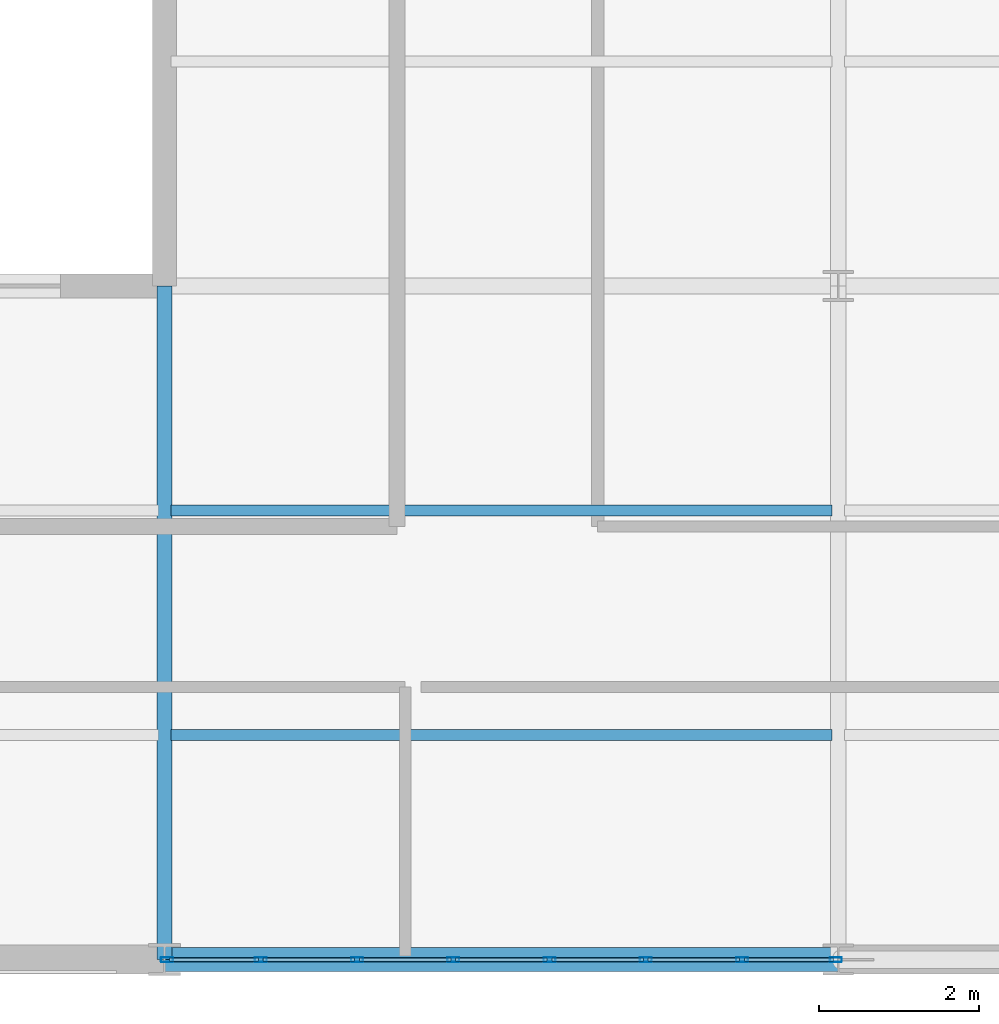
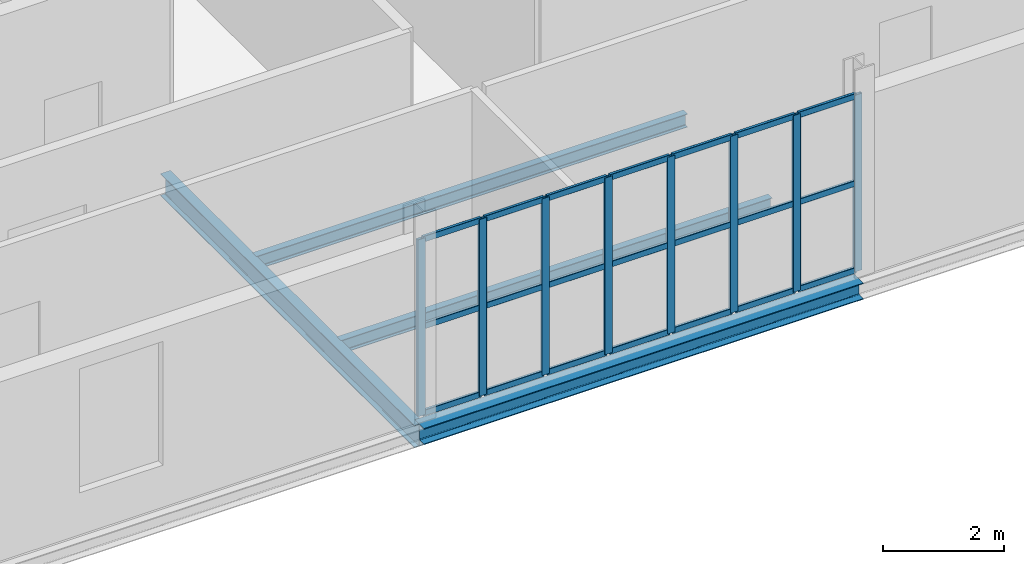
# One storey, part 28 of 163: 29 members, 4 beams, 1 element without a shape of its own.
"""IFC4 building model written with IfcOpenShell, lengths in metres."""

from ifc_helpers import new_model, si_unit, direction, frame, origin, origin_2d, place, context, subcontext, project, spatial, hollow_rectangle, i_section, extrude, material, layer, layer_set, material_profile, profile_set, type_object, element, aggregate, save


model = new_model("IFC4")

# Units and contexts
model_context = context("Model", 3, precision=1e-05, world=origin(), true_north=direction((0.0, 1.0)))
body_context = subcontext(model_context, "Body", "Model", "MODEL_VIEW")
ifc_project = project(units=[si_unit("LENGTHUNIT", "METRE"), si_unit("AREAUNIT", "SQUARE_METRE"), si_unit("VOLUMEUNIT", "CUBIC_METRE"), si_unit("PLANEANGLEUNIT", "RADIAN"), si_unit("MASSUNIT", "GRAM", prefix="KILO")], contexts=[model_context])

# Site, building, storey
site_placement = place(None, origin())
site = spatial("IfcSite", under=ifc_project, at=site_placement, CompositionType="ELEMENT")
building_placement = place(site_placement, origin())
building = spatial("IfcBuilding", under=site, at=building_placement, Name="Qalvenar Corner Mobility Hub", CompositionType="ELEMENT")
storey_placement = place(building_placement, frame((0.0, 0.0, 4.800048828125)))
storey = spatial("IfcBuildingStorey", under=building, at=storey_placement, Name="L01", CompositionType="ELEMENT", Elevation=4.800048828125)

# Beams
ifc_material_1 = material(Name="Steel S355", Category="steel")
ifc_material_profile_1 = material_profile(ifc_material_1, i_section(OverallWidth=0.18994140625, OverallDepth=0.449951171875, WebThickness=0.009521484375, FlangeThickness=0.0146484375, FilletRadius=0.02099609375, at=origin_2d()), Name="IPE450")
ifc_profile_set_1 = profile_set([ifc_material_profile_1], Name="Steel S355")
beam_type_1 = type_object("IfcBeamType", Name="BM-IPE450", PredefinedType="BEAM", material=ifc_profile_set_1)
beam_1_placement = place(storey_placement, frame((16.800048828125, 0.0, -0.405029296875), z_axis=(0.0, 1.0, 0.0), x_axis=(-1.0, 0.0, 0.0)))
element("IfcBeam", 1, at=beam_1_placement, inside=storey, type_object=beam_type_1, Name="Primary Steel Girder GY-0861", PredefinedType="BEAM", context=body_context, shape_type="SweptSolid", body=[
    extrude(i_section(OverallWidth=0.18994140625, OverallDepth=0.449951171875, WebThickness=0.009521484375, FlangeThickness=0.0146484375, FilletRadius=0.02099609375, at=origin_2d()), origin(), (0.0, 0.0, 1.0), 8.39990234375),
])
ifc_material_profile_2 = material_profile(ifc_material_1, i_section(OverallWidth=0.135009765625, OverallDepth=0.27001953125, WebThickness=0.006591796875, FlangeThickness=0.01025390625, FilletRadius=0.014892578125, at=origin_2d()), Name="IPE270")
ifc_profile_set_2 = profile_set([ifc_material_profile_2], Name="Steel S355")
beam_type_2 = type_object("IfcBeamType", Name="BM-JST270", PredefinedType="JOIST", material=ifc_profile_set_2)
for number, where, z_axis, x_axis, name in (
    (2, (16.8779296875, 2.800048828125, -0.31494140625), (1.0, 0.0, 0.0), (0.0, 1.0, 0.0), "Composite Floor Joist J-0905"),
    (3, (16.8779296875, 5.60009765625, -0.31494140625), (1.0, 0.0, 0.0), (0.0, 1.0, 0.0), "Composite Floor Joist J-0906"),
):
    element("IfcBeam", number, at=place(storey_placement, frame(where, z_axis=z_axis, x_axis=x_axis)), inside=storey, type_object=beam_type_2, Name=name, PredefinedType="JOIST", context=body_context, shape_type="SweptSolid", body=[
        extrude(i_section(OverallWidth=0.135009765625, OverallDepth=0.27001953125, WebThickness=0.006591796875, FlangeThickness=0.01025390625, FilletRadius=0.014892578125, at=origin_2d()), origin(), (0.0, 0.0, 1.0), 8.244140625),
    ])
ifc_material_profile_3 = material_profile(ifc_material_1, i_section(OverallWidth=0.300048828125, OverallDepth=0.330078125, WebThickness=0.009521484375, FlangeThickness=0.0166015625, FilletRadius=0.027099609375, at=origin_2d()), Name="HEA340")
ifc_profile_set_3 = profile_set([ifc_material_profile_3], Name="Steel S355")
beam_type_3 = type_object("IfcBeamType", Name="BM-SPN340", PredefinedType="SPANDREL", material=ifc_profile_set_3)
beam_2_placement = place(storey_placement, frame((16.800048828125, 0.0, -0.344970703125), z_axis=(1.0, 0.0, 0.0), x_axis=(0.0, 1.0, 0.0)))
element("IfcBeam", 4, at=beam_2_placement, inside=storey, type_object=beam_type_3, Name="Primary Steel Girder GX-0817", PredefinedType="SPANDREL", context=body_context, shape_type="SweptSolid", body=[
    extrude(i_section(OverallWidth=0.300048828125, OverallDepth=0.330078125, WebThickness=0.009521484375, FlangeThickness=0.0166015625, FilletRadius=0.027099609375, at=origin_2d()), origin(), (0.0, 0.0, 1.0), 8.39990234375),
])

# Curtain wall, members
ifc_material_2 = material(Name="Anodised Aluminium and Low-E Glazing", Category="aluminium")
ifc_layer = layer(ifc_material_2, 0.14990234375)
ifc_layer_set = layer_set([ifc_layer], Name="Anodised Aluminium and Low-E Glazing")
curtain_wall_type = type_object("IfcCurtainWallType", Name="CW-CIV-84X40", PredefinedType="NOTDEFINED", material=ifc_layer_set)
curtain_wall_placement = place(storey_placement, origin())
curtain_wall = element("IfcCurtainWall", 5, at=curtain_wall_placement, inside=storey, type_object=curtain_wall_type, Name="Glazed Curtain Wall CW-V3-L01-S2", PredefinedType="NOTDEFINED")
ifc_material_3 = material(Name="Anodised Aluminium 6063-T6", Category="aluminium")
ifc_material_profile_4 = material_profile(ifc_material_3, hollow_rectangle(XDim=0.06005859375, YDim=0.14990234375, WallThickness=0.00390625, InnerFilletRadius=0.00390625, OuterFilletRadius=0.008056640625, at=origin_2d()), Name="RHS150x60x4")
ifc_profile_set_4 = profile_set([ifc_material_profile_4], Name="Anodised Aluminium 6063-T6")
member_type_1 = type_object("IfcMemberType", Name="CW-MUL150", PredefinedType="MULLION", material=ifc_profile_set_4)
member_1_placement = place(storey_placement, frame((16.830078125, 0.0, 0.0), z_axis=(0.0, 0.0, 1.0), x_axis=(0.0, 1.0, 0.0)))
member_1 = element("IfcMember", 6, at=member_1_placement, type_object=member_type_1, Name="CW-05 mullion 1", PredefinedType="MULLION", context=body_context, shape_type="SweptSolid", body=[
    extrude(hollow_rectangle(XDim=0.06005859375, YDim=0.14990234375, WallThickness=0.00390625, InnerFilletRadius=0.00390625, OuterFilletRadius=0.008056640625, at=origin_2d()), origin(), (0.0, 0.0, 1.0), 3.570068359375),
])
member_2_placement = place(storey_placement, frame((18.0, 0.0, 0.0), z_axis=(0.0, 0.0, 1.0), x_axis=(0.0, 1.0, 0.0)))
member_2 = element("IfcMember", 7, at=member_2_placement, type_object=member_type_1, Name="CW-05 mullion 2", PredefinedType="MULLION", context=body_context, shape_type="SweptSolid", body=[
    extrude(hollow_rectangle(XDim=0.06005859375, YDim=0.14990234375, WallThickness=0.00390625, InnerFilletRadius=0.00390625, OuterFilletRadius=0.008056640625, at=origin_2d()), origin(), (0.0, 0.0, 1.0), 3.570068359375),
])
member_3_placement = place(storey_placement, frame((19.199951171875, 0.0, 0.0), z_axis=(0.0, 0.0, 1.0), x_axis=(0.0, 1.0, 0.0)))
member_3 = element("IfcMember", 8, at=member_3_placement, type_object=member_type_1, Name="CW-05 mullion 3", PredefinedType="MULLION", context=body_context, shape_type="SweptSolid", body=[
    extrude(hollow_rectangle(XDim=0.06005859375, YDim=0.14990234375, WallThickness=0.00390625, InnerFilletRadius=0.00390625, OuterFilletRadius=0.008056640625, at=origin_2d()), origin(), (0.0, 0.0, 1.0), 3.570068359375),
])
member_4_placement = place(storey_placement, frame((20.39990234375, 0.0, 0.0), z_axis=(0.0, 0.0, 1.0), x_axis=(0.0, 1.0, 0.0)))
member_4 = element("IfcMember", 9, at=member_4_placement, type_object=member_type_1, Name="CW-05 mullion 4", PredefinedType="MULLION", context=body_context, shape_type="SweptSolid", body=[
    extrude(hollow_rectangle(XDim=0.06005859375, YDim=0.14990234375, WallThickness=0.00390625, InnerFilletRadius=0.00390625, OuterFilletRadius=0.008056640625, at=origin_2d()), origin(), (0.0, 0.0, 1.0), 3.570068359375),
])
member_5_placement = place(storey_placement, frame((21.60009765625, 0.0, 0.0), z_axis=(0.0, 0.0, 1.0), x_axis=(0.0, 1.0, 0.0)))
member_5 = element("IfcMember", 10, at=member_5_placement, type_object=member_type_1, Name="CW-05 mullion 5", PredefinedType="MULLION", context=body_context, shape_type="SweptSolid", body=[
    extrude(hollow_rectangle(XDim=0.06005859375, YDim=0.14990234375, WallThickness=0.00390625, InnerFilletRadius=0.00390625, OuterFilletRadius=0.008056640625, at=origin_2d()), origin(), (0.0, 0.0, 1.0), 3.570068359375),
])
member_6_placement = place(storey_placement, frame((22.800048828125, 0.0, 0.0), z_axis=(0.0, 0.0, 1.0), x_axis=(0.0, 1.0, 0.0)))
member_6 = element("IfcMember", 11, at=member_6_placement, type_object=member_type_1, Name="CW-05 mullion 6", PredefinedType="MULLION", context=body_context, shape_type="SweptSolid", body=[
    extrude(hollow_rectangle(XDim=0.06005859375, YDim=0.14990234375, WallThickness=0.00390625, InnerFilletRadius=0.00390625, OuterFilletRadius=0.008056640625, at=origin_2d()), origin(), (0.0, 0.0, 1.0), 3.570068359375),
])
member_7_placement = place(storey_placement, frame((24.0, 0.0, 0.0), z_axis=(0.0, 0.0, 1.0), x_axis=(0.0, 1.0, 0.0)))
member_7 = element("IfcMember", 12, at=member_7_placement, type_object=member_type_1, Name="CW-05 mullion 7", PredefinedType="MULLION", context=body_context, shape_type="SweptSolid", body=[
    extrude(hollow_rectangle(XDim=0.06005859375, YDim=0.14990234375, WallThickness=0.00390625, InnerFilletRadius=0.00390625, OuterFilletRadius=0.008056640625, at=origin_2d()), origin(), (0.0, 0.0, 1.0), 3.570068359375),
])
member_8_placement = place(storey_placement, frame((25.169921875, 0.0, 0.0), z_axis=(0.0, 0.0, 1.0), x_axis=(0.0, 1.0, 0.0)))
member_8 = element("IfcMember", 13, at=member_8_placement, type_object=member_type_1, Name="CW-05 mullion 8", PredefinedType="MULLION", context=body_context, shape_type="SweptSolid", body=[
    extrude(hollow_rectangle(XDim=0.06005859375, YDim=0.14990234375, WallThickness=0.00390625, InnerFilletRadius=0.00390625, OuterFilletRadius=0.008056640625, at=origin_2d()), origin(), (0.0, 0.0, 1.0), 3.570068359375),
])
ifc_material_profile_5 = material_profile(ifc_material_3, hollow_rectangle(XDim=0.054931640625, YDim=0.1201171875, WallThickness=0.00341796875, InnerFilletRadius=0.00341796875, OuterFilletRadius=0.007080078125, at=origin_2d()), Name="RHS120x55x3.5")
ifc_profile_set_5 = profile_set([ifc_material_profile_5], Name="Anodised Aluminium 6063-T6")
member_type_2 = type_object("IfcMemberType", Name="CW-TRN120", PredefinedType="USERDEFINED", material=ifc_profile_set_5)
member_9_placement = place(storey_placement, frame((16.860107421875, 0.0, 0.02734375), z_axis=(1.0, 0.0, 0.0), x_axis=(0.0, 1.0, 0.0)))
member_9 = element("IfcMember", 14, at=member_9_placement, type_object=member_type_2, Name="CW-05 transom 1.1", ObjectType="TRANSOM", PredefinedType="USERDEFINED", context=body_context, shape_type="SweptSolid", body=[
    extrude(hollow_rectangle(XDim=0.054931640625, YDim=0.1201171875, WallThickness=0.00341796875, InnerFilletRadius=0.00341796875, OuterFilletRadius=0.007080078125, at=origin_2d()), origin(), (0.0, 0.0, 1.0), 1.10986328125),
])
member_10_placement = place(storey_placement, frame((16.860107421875, 0.0, 1.784912109375), z_axis=(1.0, 0.0, 0.0), x_axis=(0.0, 1.0, 0.0)))
member_10 = element("IfcMember", 15, at=member_10_placement, type_object=member_type_2, Name="CW-05 transom 1.2", ObjectType="TRANSOM", PredefinedType="USERDEFINED", context=body_context, shape_type="SweptSolid", body=[
    extrude(hollow_rectangle(XDim=0.054931640625, YDim=0.1201171875, WallThickness=0.00341796875, InnerFilletRadius=0.00341796875, OuterFilletRadius=0.007080078125, at=origin_2d()), origin(), (0.0, 0.0, 1.0), 1.10986328125),
])
member_11_placement = place(storey_placement, frame((16.860107421875, 0.0, 3.54248046875), z_axis=(1.0, 0.0, 0.0), x_axis=(0.0, 1.0, 0.0)))
member_11 = element("IfcMember", 16, at=member_11_placement, type_object=member_type_2, Name="CW-05 transom 1.3", ObjectType="TRANSOM", PredefinedType="USERDEFINED", context=body_context, shape_type="SweptSolid", body=[
    extrude(hollow_rectangle(XDim=0.054931640625, YDim=0.1201171875, WallThickness=0.00341796875, InnerFilletRadius=0.00341796875, OuterFilletRadius=0.007080078125, at=origin_2d()), origin(), (0.0, 0.0, 1.0), 1.10986328125),
])
member_12_placement = place(storey_placement, frame((18.030029296875, 0.0, 0.02734375), z_axis=(1.0, 0.0, 0.0), x_axis=(0.0, 1.0, 0.0)))
member_12 = element("IfcMember", 17, at=member_12_placement, type_object=member_type_2, Name="CW-05 transom 2.1", ObjectType="TRANSOM", PredefinedType="USERDEFINED", context=body_context, shape_type="SweptSolid", body=[
    extrude(hollow_rectangle(XDim=0.054931640625, YDim=0.1201171875, WallThickness=0.00341796875, InnerFilletRadius=0.00341796875, OuterFilletRadius=0.007080078125, at=origin_2d()), origin(), (0.0, 0.0, 1.0), 1.139892578125),
])
member_13_placement = place(storey_placement, frame((18.030029296875, 0.0, 1.784912109375), z_axis=(1.0, 0.0, 0.0), x_axis=(0.0, 1.0, 0.0)))
member_13 = element("IfcMember", 18, at=member_13_placement, type_object=member_type_2, Name="CW-05 transom 2.2", ObjectType="TRANSOM", PredefinedType="USERDEFINED", context=body_context, shape_type="SweptSolid", body=[
    extrude(hollow_rectangle(XDim=0.054931640625, YDim=0.1201171875, WallThickness=0.00341796875, InnerFilletRadius=0.00341796875, OuterFilletRadius=0.007080078125, at=origin_2d()), origin(), (0.0, 0.0, 1.0), 1.139892578125),
])
member_14_placement = place(storey_placement, frame((18.030029296875, 0.0, 3.54248046875), z_axis=(1.0, 0.0, 0.0), x_axis=(0.0, 1.0, 0.0)))
member_14 = element("IfcMember", 19, at=member_14_placement, type_object=member_type_2, Name="CW-05 transom 2.3", ObjectType="TRANSOM", PredefinedType="USERDEFINED", context=body_context, shape_type="SweptSolid", body=[
    extrude(hollow_rectangle(XDim=0.054931640625, YDim=0.1201171875, WallThickness=0.00341796875, InnerFilletRadius=0.00341796875, OuterFilletRadius=0.007080078125, at=origin_2d()), origin(), (0.0, 0.0, 1.0), 1.139892578125),
])
member_15_placement = place(storey_placement, frame((19.22998046875, 0.0, 0.02734375), z_axis=(1.0, 0.0, 0.0), x_axis=(0.0, 1.0, 0.0)))
member_15 = element("IfcMember", 20, at=member_15_placement, type_object=member_type_2, Name="CW-05 transom 3.1", ObjectType="TRANSOM", PredefinedType="USERDEFINED", context=body_context, shape_type="SweptSolid", body=[
    extrude(hollow_rectangle(XDim=0.054931640625, YDim=0.1201171875, WallThickness=0.00341796875, InnerFilletRadius=0.00341796875, OuterFilletRadius=0.007080078125, at=origin_2d()), origin(), (0.0, 0.0, 1.0), 1.14013671875),
])
member_16_placement = place(storey_placement, frame((19.22998046875, 0.0, 1.784912109375), z_axis=(1.0, 0.0, 0.0), x_axis=(0.0, 1.0, 0.0)))
member_16 = element("IfcMember", 21, at=member_16_placement, type_object=member_type_2, Name="CW-05 transom 3.2", ObjectType="TRANSOM", PredefinedType="USERDEFINED", context=body_context, shape_type="SweptSolid", body=[
    extrude(hollow_rectangle(XDim=0.054931640625, YDim=0.1201171875, WallThickness=0.00341796875, InnerFilletRadius=0.00341796875, OuterFilletRadius=0.007080078125, at=origin_2d()), origin(), (0.0, 0.0, 1.0), 1.14013671875),
])
member_17_placement = place(storey_placement, frame((19.22998046875, 0.0, 3.54248046875), z_axis=(1.0, 0.0, 0.0), x_axis=(0.0, 1.0, 0.0)))
member_17 = element("IfcMember", 22, at=member_17_placement, type_object=member_type_2, Name="CW-05 transom 3.3", ObjectType="TRANSOM", PredefinedType="USERDEFINED", context=body_context, shape_type="SweptSolid", body=[
    extrude(hollow_rectangle(XDim=0.054931640625, YDim=0.1201171875, WallThickness=0.00341796875, InnerFilletRadius=0.00341796875, OuterFilletRadius=0.007080078125, at=origin_2d()), origin(), (0.0, 0.0, 1.0), 1.14013671875),
])
member_18_placement = place(storey_placement, frame((20.429931640625, 0.0, 0.02734375), z_axis=(1.0, 0.0, 0.0), x_axis=(0.0, 1.0, 0.0)))
member_18 = element("IfcMember", 23, at=member_18_placement, type_object=member_type_2, Name="CW-05 transom 4.1", ObjectType="TRANSOM", PredefinedType="USERDEFINED", context=body_context, shape_type="SweptSolid", body=[
    extrude(hollow_rectangle(XDim=0.054931640625, YDim=0.1201171875, WallThickness=0.00341796875, InnerFilletRadius=0.00341796875, OuterFilletRadius=0.007080078125, at=origin_2d()), origin(), (0.0, 0.0, 1.0), 1.14013671875),
])
member_19_placement = place(storey_placement, frame((20.429931640625, 0.0, 1.784912109375), z_axis=(1.0, 0.0, 0.0), x_axis=(0.0, 1.0, 0.0)))
member_19 = element("IfcMember", 24, at=member_19_placement, type_object=member_type_2, Name="CW-05 transom 4.2", ObjectType="TRANSOM", PredefinedType="USERDEFINED", context=body_context, shape_type="SweptSolid", body=[
    extrude(hollow_rectangle(XDim=0.054931640625, YDim=0.1201171875, WallThickness=0.00341796875, InnerFilletRadius=0.00341796875, OuterFilletRadius=0.007080078125, at=origin_2d()), origin(), (0.0, 0.0, 1.0), 1.14013671875),
])
member_20_placement = place(storey_placement, frame((20.429931640625, 0.0, 3.54248046875), z_axis=(1.0, 0.0, 0.0), x_axis=(0.0, 1.0, 0.0)))
member_20 = element("IfcMember", 25, at=member_20_placement, type_object=member_type_2, Name="CW-05 transom 4.3", ObjectType="TRANSOM", PredefinedType="USERDEFINED", context=body_context, shape_type="SweptSolid", body=[
    extrude(hollow_rectangle(XDim=0.054931640625, YDim=0.1201171875, WallThickness=0.00341796875, InnerFilletRadius=0.00341796875, OuterFilletRadius=0.007080078125, at=origin_2d()), origin(), (0.0, 0.0, 1.0), 1.14013671875),
])
member_21_placement = place(storey_placement, frame((21.6298828125, 0.0, 0.02734375), z_axis=(1.0, 0.0, 0.0), x_axis=(0.0, 1.0, 0.0)))
member_21 = element("IfcMember", 26, at=member_21_placement, type_object=member_type_2, Name="CW-05 transom 5.1", ObjectType="TRANSOM", PredefinedType="USERDEFINED", context=body_context, shape_type="SweptSolid", body=[
    extrude(hollow_rectangle(XDim=0.054931640625, YDim=0.1201171875, WallThickness=0.00341796875, InnerFilletRadius=0.00341796875, OuterFilletRadius=0.007080078125, at=origin_2d()), origin(), (0.0, 0.0, 1.0), 1.14013671875),
])
member_22_placement = place(storey_placement, frame((21.6298828125, 0.0, 1.784912109375), z_axis=(1.0, 0.0, 0.0), x_axis=(0.0, 1.0, 0.0)))
member_22 = element("IfcMember", 27, at=member_22_placement, type_object=member_type_2, Name="CW-05 transom 5.2", ObjectType="TRANSOM", PredefinedType="USERDEFINED", context=body_context, shape_type="SweptSolid", body=[
    extrude(hollow_rectangle(XDim=0.054931640625, YDim=0.1201171875, WallThickness=0.00341796875, InnerFilletRadius=0.00341796875, OuterFilletRadius=0.007080078125, at=origin_2d()), origin(), (0.0, 0.0, 1.0), 1.14013671875),
])
member_23_placement = place(storey_placement, frame((21.6298828125, 0.0, 3.54248046875), z_axis=(1.0, 0.0, 0.0), x_axis=(0.0, 1.0, 0.0)))
member_23 = element("IfcMember", 28, at=member_23_placement, type_object=member_type_2, Name="CW-05 transom 5.3", ObjectType="TRANSOM", PredefinedType="USERDEFINED", context=body_context, shape_type="SweptSolid", body=[
    extrude(hollow_rectangle(XDim=0.054931640625, YDim=0.1201171875, WallThickness=0.00341796875, InnerFilletRadius=0.00341796875, OuterFilletRadius=0.007080078125, at=origin_2d()), origin(), (0.0, 0.0, 1.0), 1.14013671875),
])
member_24_placement = place(storey_placement, frame((22.830078125, 0.0, 0.02734375), z_axis=(1.0, 0.0, 0.0), x_axis=(0.0, 1.0, 0.0)))
member_24 = element("IfcMember", 29, at=member_24_placement, type_object=member_type_2, Name="CW-05 transom 6.1", ObjectType="TRANSOM", PredefinedType="USERDEFINED", context=body_context, shape_type="SweptSolid", body=[
    extrude(hollow_rectangle(XDim=0.054931640625, YDim=0.1201171875, WallThickness=0.00341796875, InnerFilletRadius=0.00341796875, OuterFilletRadius=0.007080078125, at=origin_2d()), origin(), (0.0, 0.0, 1.0), 1.139892578125),
])
member_25_placement = place(storey_placement, frame((22.830078125, 0.0, 1.784912109375), z_axis=(1.0, 0.0, 0.0), x_axis=(0.0, 1.0, 0.0)))
member_25 = element("IfcMember", 30, at=member_25_placement, type_object=member_type_2, Name="CW-05 transom 6.2", ObjectType="TRANSOM", PredefinedType="USERDEFINED", context=body_context, shape_type="SweptSolid", body=[
    extrude(hollow_rectangle(XDim=0.054931640625, YDim=0.1201171875, WallThickness=0.00341796875, InnerFilletRadius=0.00341796875, OuterFilletRadius=0.007080078125, at=origin_2d()), origin(), (0.0, 0.0, 1.0), 1.139892578125),
])
member_26_placement = place(storey_placement, frame((22.830078125, 0.0, 3.54248046875), z_axis=(1.0, 0.0, 0.0), x_axis=(0.0, 1.0, 0.0)))
member_26 = element("IfcMember", 31, at=member_26_placement, type_object=member_type_2, Name="CW-05 transom 6.3", ObjectType="TRANSOM", PredefinedType="USERDEFINED", context=body_context, shape_type="SweptSolid", body=[
    extrude(hollow_rectangle(XDim=0.054931640625, YDim=0.1201171875, WallThickness=0.00341796875, InnerFilletRadius=0.00341796875, OuterFilletRadius=0.007080078125, at=origin_2d()), origin(), (0.0, 0.0, 1.0), 1.139892578125),
])
member_27_placement = place(storey_placement, frame((24.030029296875, 0.0, 0.02734375), z_axis=(1.0, 0.0, 0.0), x_axis=(0.0, 1.0, 0.0)))
member_27 = element("IfcMember", 32, at=member_27_placement, type_object=member_type_2, Name="CW-05 transom 7.1", ObjectType="TRANSOM", PredefinedType="USERDEFINED", context=body_context, shape_type="SweptSolid", body=[
    extrude(hollow_rectangle(XDim=0.054931640625, YDim=0.1201171875, WallThickness=0.00341796875, InnerFilletRadius=0.00341796875, OuterFilletRadius=0.007080078125, at=origin_2d()), origin(), (0.0, 0.0, 1.0), 1.10986328125),
])
member_28_placement = place(storey_placement, frame((24.030029296875, 0.0, 1.784912109375), z_axis=(1.0, 0.0, 0.0), x_axis=(0.0, 1.0, 0.0)))
member_28 = element("IfcMember", 33, at=member_28_placement, type_object=member_type_2, Name="CW-05 transom 7.2", ObjectType="TRANSOM", PredefinedType="USERDEFINED", context=body_context, shape_type="SweptSolid", body=[
    extrude(hollow_rectangle(XDim=0.054931640625, YDim=0.1201171875, WallThickness=0.00341796875, InnerFilletRadius=0.00341796875, OuterFilletRadius=0.007080078125, at=origin_2d()), origin(), (0.0, 0.0, 1.0), 1.10986328125),
])
member_29_placement = place(storey_placement, frame((24.030029296875, 0.0, 3.54248046875), z_axis=(1.0, 0.0, 0.0), x_axis=(0.0, 1.0, 0.0)))
member_29 = element("IfcMember", 34, at=member_29_placement, type_object=member_type_2, Name="CW-05 transom 7.3", ObjectType="TRANSOM", PredefinedType="USERDEFINED", context=body_context, shape_type="SweptSolid", body=[
    extrude(hollow_rectangle(XDim=0.054931640625, YDim=0.1201171875, WallThickness=0.00341796875, InnerFilletRadius=0.00341796875, OuterFilletRadius=0.007080078125, at=origin_2d()), origin(), (0.0, 0.0, 1.0), 1.10986328125),
])
aggregate(curtain_wall, [member_1, member_2, member_3, member_4, member_5, member_6, member_7, member_8, member_9, member_10, member_11, member_12, member_13, member_14, member_15, member_16, member_17, member_18, member_19, member_20, member_21, member_22, member_23, member_24, member_25, member_26, member_27, member_28, member_29])

save(model, "model.ifc")
